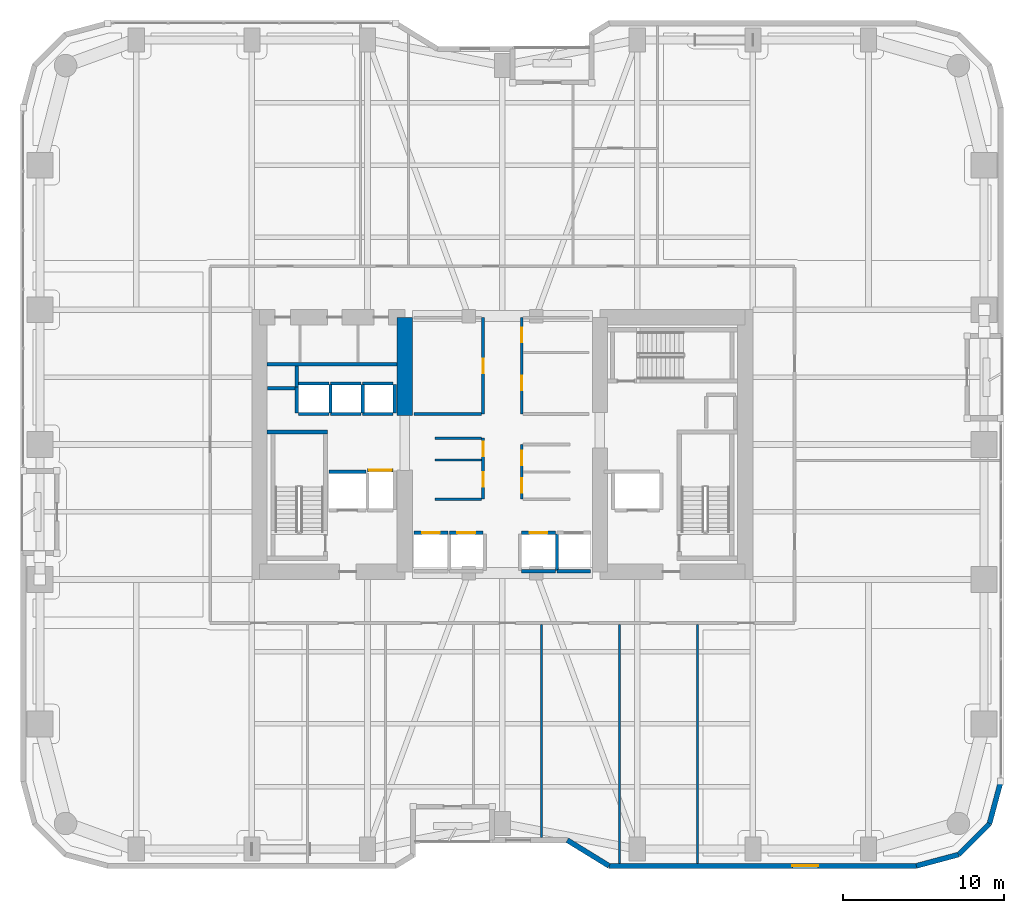
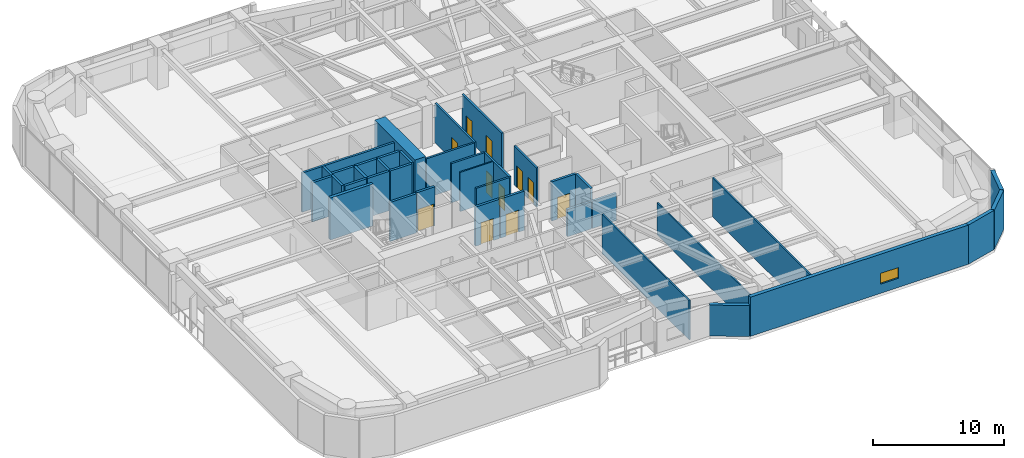
# One storey, part 23 of 29: 39 walls, 11 doors, 1 window, 12 openings.
"""IFC4 building model written with IfcOpenShell, lengths in metres."""

from ifc_helpers import new_model, si_unit, direction, frame, frame_2d, origin, place, context, subcontext, project, spatial, rectangle, extrude, material, layer, layer_set, type_object, element, fill, save


model = new_model("IFC4")

# Units and contexts
model_context = context("Model", 3, precision=1e-05, world=origin(), true_north=direction((0.0, 1.0)))
body_context = subcontext(model_context, "Body", "Model", "MODEL_VIEW")
ifc_project = project(units=[si_unit("LENGTHUNIT", "METRE"), si_unit("AREAUNIT", "SQUARE_METRE"), si_unit("VOLUMEUNIT", "CUBIC_METRE"), si_unit("PLANEANGLEUNIT", "RADIAN"), si_unit("MASSUNIT", "GRAM", prefix="KILO")], contexts=[model_context])

# Site, building, storey
site_placement = place(None, origin())
site = spatial("IfcSite", under=ifc_project, at=site_placement, CompositionType="ELEMENT")
building_placement = place(site_placement, origin())
building = spatial("IfcBuilding", under=site, at=building_placement, Name="Kiyonajd Concourse Tower", CompositionType="ELEMENT")
storey_placement = place(building_placement, frame((0.0, 0.0, 48.89990234375)))
storey = spatial("IfcBuildingStorey", under=building, at=storey_placement, Name="L13", CompositionType="ELEMENT", Elevation=48.89990234375)

# Walls
ifc_material_1 = material(Name="Concrete C80/95", Category="concrete")
ifc_layer_1 = layer(ifc_material_1, 0.949951171875)
ifc_layer_set_1 = layer_set([ifc_layer_1], Name="Concrete C80/95")
wall_type_1 = type_object("IfcWallType", Name="WL-CORE-950", PredefinedType="SHEAR", material=ifc_layer_set_1)
wall_1_placement = place(storey_placement, frame((41.925048828125, 37.800048828125, 0.0), z_axis=(0.0, 0.0, 1.0), x_axis=(0.0, 1.0, 0.0)))
element("IfcWall", 1, at=wall_1_placement, inside=storey, type_object=wall_type_1, Name="L13 West Core Inner North Shear Wall", PredefinedType="SHEAR", context=body_context, shape_type="SweptSolid", body=[
    extrude(rectangle(XDim=6.125, YDim=0.949951171875, at=frame_2d((3.0625, 0.0))), origin(), (0.0, 0.0, 1.0), 3.900146484375),
])
ifc_material_2 = material(Name="Precast concrete C50/60", Category="concrete")
ifc_layer_2 = layer(ifc_material_2, 0.320068359375)
ifc_layer_set_2 = layer_set([ifc_layer_2], Name="Precast concrete C50/60")
wall_type_2 = type_object("IfcWallType", Name="WL-EXT-320", PredefinedType="SOLIDWALL", material=ifc_layer_set_2)
wall_2_placement = place(storey_placement, frame((79.0400390625, 15.02099609375, 0.0), z_axis=(0.0, 0.0, 1.0), x_axis=(-0.25869736047, -0.965958423373, 0.0)))
element("IfcWall", 2, at=wall_2_placement, inside=storey, type_object=wall_type_2, Name="L13 Exterior Concrete Frame Wall 25", PredefinedType="SOLIDWALL", context=body_context, shape_type="SweptSolid", body=[
    extrude(rectangle(XDim=2.731201171875, YDim=0.320068359375, at=frame_2d((1.36572265625, 0.0))), origin(), (0.0, 0.0, 1.0), 3.64013671875),
])
wall_3_placement = place(storey_placement, frame((78.33349609375, 12.3828125, 0.0), z_axis=(0.0, 0.0, 1.0), x_axis=(-0.707106781187, -0.707106781187, 0.0)))
element("IfcWall", 3, at=wall_3_placement, inside=storey, type_object=wall_type_2, Name="L13 Exterior Concrete Frame Wall 26", PredefinedType="SOLIDWALL", context=body_context, shape_type="SweptSolid", body=[
    extrude(rectangle(XDim=2.7099609375, YDim=0.320068359375, at=frame_2d((1.35498046875, 0.0))), origin(), (0.0, 0.0, 1.0), 3.64013671875),
])
wall_4_placement = place(storey_placement, frame((76.417236328125, 10.466552734375, 0.0), z_axis=(0.0, 0.0, 1.0), x_axis=(-0.965964405026, -0.25867502435, 0.0)))
element("IfcWall", 4, at=wall_4_placement, inside=storey, type_object=wall_type_2, Name="L13 Exterior Concrete Frame Wall 27", PredefinedType="SOLIDWALL", context=body_context, shape_type="SweptSolid", body=[
    extrude(rectangle(XDim=2.7314453125, YDim=0.320068359375, at=frame_2d((1.36572265625, 0.0))), origin(), (0.0, 0.0, 1.0), 3.64013671875),
])

# Wall, opening, window
wall_5_placement = place(storey_placement, frame((73.77880859375, 9.760009765625, 0.0), z_axis=(0.0, 0.0, 1.0), x_axis=(-1.0, 0.0, 0.0)))
wall_5 = element("IfcWall", 5, at=wall_5_placement, inside=storey, type_object=wall_type_2, Name="L13 Exterior Concrete Frame Wall 28", PredefinedType="SOLIDWALL", context=body_context, shape_type="SweptSolid", body=[
    extrude(rectangle(XDim=19.133544921875, YDim=0.320068359375, at=frame_2d((9.56689453125, 0.0))), origin(), (0.0, 0.0, 1.0), 3.64013671875),
])
opening_1_placement = place(wall_5_placement, frame((6.114013671875, 0.0, 0.85009765625)))
opening_1 = element("IfcOpeningElement", 6, at=opening_1_placement, cuts=wall_5, Name="Opening WN6", PredefinedType="OPENING", context=body_context, shape_type="SweptSolid", body=[
    extrude(rectangle(XDim=1.60009765625, YDim=1.0, at=frame_2d((0.800048828125, 0.5))), frame((0.0, 0.169921875, 0.0), z_axis=(0.0, -1.0, 0.0), x_axis=(1.0, 0.0, 0.0)), (0.0, 0.0, 1.0), 0.340087890625),
])
ifc_material_3 = material(Name="Double Low-E Insulated Glass", Category="glass")
window_type = type_object("IfcWindowType", Name="WN-VIS-1600x1000", PartitioningType="SINGLE_PANEL", PredefinedType="WINDOW", material=ifc_material_3)
window_placement = place(opening_1_placement, origin())
window = element("IfcWindow", 7, at=window_placement, inside=storey, type_object=window_type, Name="L13 Modular Facade Vision Window 28", OverallHeight=1.0, OverallWidth=1.60009765625, PartitioningType="SINGLE_PANEL", PredefinedType="WINDOW", context=body_context, shape_type="SweptSolid", body=[
    extrude(rectangle(XDim=1.60009765625, YDim=1.0, at=frame_2d((0.800048828125, 0.5))), frame((0.0, 0.030029296875, 0.0), z_axis=(0.0, -1.0, 0.0), x_axis=(1.0, 0.0, 0.0)), (0.0, 0.0, 1.0), 0.06005859375),
])
fill(opening_1, window)

# Walls
wall_6_placement = place(storey_placement, frame((54.645263671875, 9.760009765625, 0.0), z_axis=(0.0, 0.0, 1.0), x_axis=(-0.851630857047, 0.524142044989, 0.0)))
element("IfcWall", 8, at=wall_6_placement, inside=storey, type_object=wall_type_2, Name="L13 Exterior Concrete Frame Wall 29", PredefinedType="SOLIDWALL", context=body_context, shape_type="SweptSolid", body=[
    extrude(rectangle(XDim=3.052734375, YDim=0.320068359375, at=frame_2d((1.5263671875, 0.0))), origin(), (0.0, 0.0, 1.0), 2.875),
])
ifc_material_4 = material(Name="Gypsum Board on Cold-Formed Steel Stud", Category="steel")
ifc_layer_3 = layer(ifc_material_4, 0.125)
ifc_layer_set_3 = layer_set([ifc_layer_3], Name="Gypsum Board on Cold-Formed Steel Stud")
wall_type_3 = type_object("IfcWallType", Name="WL-PART-125", PredefinedType="PARTITIONING", material=ifc_layer_set_3)
wall_7_placement = place(storey_placement, frame((43.800048828125, 35.031982421875, 0.0), z_axis=(0.0, 0.0, 1.0), x_axis=(1.0, 0.0, 0.0)))
element("IfcWall", 9, at=wall_7_placement, inside=storey, type_object=wall_type_3, Name="L13 Interior Partition Wall", PredefinedType="PARTITIONING", context=body_context, shape_type="SweptSolid", body=[
    extrude(rectangle(XDim=2.912841796875, YDim=0.125, at=frame_2d((1.45654296875, 0.0))), origin(), (0.0, 0.0, 1.0), 3.64013671875),
])
wall_8_placement = place(storey_placement, frame((50.429931640625, 11.514892578125, 0.0), z_axis=(0.0, 0.0, 1.0), x_axis=(0.0, 1.0, 0.0)))
element("IfcWall", 10, at=wall_8_placement, inside=storey, type_object=wall_type_3, Name="L13 Interior Partition Wall", PredefinedType="PARTITIONING", context=body_context, shape_type="SweptSolid", body=[
    extrude(rectangle(XDim=13.2880859375, YDim=0.125, at=frame_2d((6.64404296875, 0.0))), origin(), (0.0, 0.0, 1.0), 3.64013671875),
])
wall_9_placement = place(storey_placement, frame((55.2900390625, 9.9150390625, 0.0), z_axis=(0.0, 0.0, 1.0), x_axis=(0.0, 1.0, 0.0)))
element("IfcWall", 11, at=wall_9_placement, inside=storey, type_object=wall_type_3, Name="L13 Interior Partition Wall", PredefinedType="PARTITIONING", context=body_context, shape_type="SweptSolid", body=[
    extrude(rectangle(XDim=14.887939453125, YDim=0.125, at=frame_2d((7.44384765625, 0.0))), origin(), (0.0, 0.0, 1.0), 3.003173828125),
])
wall_10_placement = place(storey_placement, frame((60.139892578125, 9.9150390625, 0.0), z_axis=(0.0, 0.0, 1.0), x_axis=(0.0, 1.0, 0.0)))
element("IfcWall", 12, at=wall_10_placement, inside=storey, type_object=wall_type_3, Name="L13 Interior Partition Wall", PredefinedType="PARTITIONING", context=body_context, shape_type="SweptSolid", body=[
    extrude(rectangle(XDim=14.887939453125, YDim=0.125, at=frame_2d((7.44384765625, 0.0))), origin(), (0.0, 0.0, 1.0), 3.64013671875),
])
ifc_layer_4 = layer(ifc_material_4, 0.18994140625)
ifc_layer_set_4 = layer_set([ifc_layer_4], Name="Gypsum Board on Cold-Formed Steel Stud")
wall_type_4 = type_object("IfcWallType", Name="WL-PLMB-190", PredefinedType="PLUMBINGWALL", material=ifc_layer_set_4)
wall_11_placement = place(storey_placement, frame((33.35009765625, 41.0, 0.0), z_axis=(0.0, 0.0, 1.0), x_axis=(1.0, 0.0, 0.0)))
element("IfcWall", 13, at=wall_11_placement, inside=storey, type_object=wall_type_4, Name="L13 Interior Partition Wall", PredefinedType="PLUMBINGWALL", context=body_context, shape_type="SweptSolid", body=[
    extrude(rectangle(XDim=8.099853515625, YDim=0.18994140625, at=frame_2d((4.0498046875, 0.0))), origin(), (0.0, 0.0, 1.0), 3.64013671875),
])
ifc_layer_5 = layer(ifc_material_4, 0.2099609375)
ifc_layer_set_5 = layer_set([ifc_layer_5], Name="Gypsum Board on Cold-Formed Steel Stud")
wall_type_5 = type_object("IfcWallType", Name="WL-SHAFT-210", PredefinedType="PARTITIONING", material=ifc_layer_set_5)
wall_12_placement = place(storey_placement, frame((33.360107421875, 39.5, 0.0), z_axis=(0.0, 0.0, 1.0), x_axis=(1.0, 0.0, 0.0)))
element("IfcWall", 14, at=wall_12_placement, inside=storey, type_object=wall_type_5, Name="L13 Shaft Enclosure Wall", PredefinedType="PARTITIONING", context=body_context, shape_type="SweptSolid", body=[
    extrude(rectangle(XDim=1.85986328125, YDim=0.2099609375, at=frame_2d((0.929931640625, 0.0))), origin(), (0.0, 0.0, 1.0), 3.64013671875),
])
wall_13_placement = place(storey_placement, frame((35.199951171875, 39.580078125, 0.0), z_axis=(0.0, 0.0, 1.0), x_axis=(0.0, 1.0, 0.0)))
element("IfcWall", 15, at=wall_13_placement, inside=storey, type_object=wall_type_5, Name="L13 Shaft Enclosure Wall", PredefinedType="PARTITIONING", context=body_context, shape_type="SweptSolid", body=[
    extrude(rectangle(XDim=1.31982421875, YDim=0.2099609375, at=frame_2d((0.659912109375, 0.0))), origin(), (0.0, 0.0, 1.0), 3.64013671875),
])
wall_14_placement = place(storey_placement, frame((37.199951171875, 34.300048828125, 0.0), z_axis=(0.0, 0.0, 1.0), x_axis=(1.0, 0.0, 0.0)))
element("IfcWall", 16, at=wall_14_placement, inside=storey, type_object=wall_type_5, Name="L13 Shaft Enclosure Wall", PredefinedType="PARTITIONING", context=body_context, shape_type="SweptSolid", body=[
    extrude(rectangle(XDim=2.300048828125, YDim=0.2099609375, at=frame_2d((1.14990234375, 0.0))), origin(), (0.0, 0.0, 1.0), 3.64013671875),
])

# Wall, opening, door
wall_15_placement = place(storey_placement, frame((39.60009765625, 34.39990234375, 0.0), z_axis=(0.0, 0.0, 1.0), x_axis=(1.0, 0.0, 0.0)))
wall_15 = element("IfcWall", 17, at=wall_15_placement, inside=storey, type_object=wall_type_5, Name="L13 Shaft Enclosure Wall", PredefinedType="PARTITIONING", context=body_context, shape_type="SweptSolid", body=[
    extrude(rectangle(XDim=1.599853515625, YDim=0.2099609375, at=frame_2d((0.7998046875, 0.0))), origin(), (0.0, 0.0, 1.0), 3.64013671875),
])
opening_2_placement = place(wall_15_placement, frame((0.10009765625, 0.0, 0.0)))
opening_2 = element("IfcOpeningElement", 18, at=opening_2_placement, cuts=wall_15, Name="Opening LD3", PredefinedType="OPENING", context=body_context, shape_type="SweptSolid", body=[
    extrude(rectangle(XDim=1.39990234375, YDim=2.06005859375, at=frame_2d((0.699951171875, 1.030029296875))), frame((0.0, 0.114990234375, 0.0), z_axis=(0.0, -1.0, 0.0), x_axis=(1.0, 0.0, 0.0)), (0.0, 0.0, 1.0), 0.22998046875),
])
ifc_material_5 = material(Name="Brushed Stainless Steel Cab Assembly", Category="steel")
door_type_1 = type_object("IfcDoorType", Name="DR-LD-1400", OperationType="DOUBLE_DOOR_SLIDING", PredefinedType="DOOR", material=ifc_material_5)
door_1_placement = place(opening_2_placement, origin())
door_1 = element("IfcDoor", 19, at=door_1_placement, inside=storey, type_object=door_type_1, Name="L13 Lift SVL1 Sliding Landing Door", OperationType="DOUBLE_DOOR_SLIDING", OverallHeight=2.06005859375, OverallWidth=1.39990234375, PredefinedType="DOOR", context=body_context, shape_type="SweptSolid", body=[
    extrude(rectangle(XDim=1.39990234375, YDim=2.06005859375, at=frame_2d((0.699951171875, 1.030029296875))), frame((0.0, 0.02490234375, 0.0), z_axis=(0.0, -1.0, 0.0), x_axis=(1.0, 0.0, 0.0)), (0.0, 0.0, 1.0), 0.050048828125),
])
fill(opening_2, door_1)

wall_16_placement = place(storey_placement, frame((42.5, 30.5, 0.0), z_axis=(0.0, 0.0, 1.0), x_axis=(1.0, 0.0, 0.0)))
wall_16 = element("IfcWall", 20, at=wall_16_placement, inside=storey, type_object=wall_type_5, Name="L13 Shaft Enclosure Wall", PredefinedType="PARTITIONING", context=body_context, shape_type="SweptSolid", body=[
    extrude(rectangle(XDim=2.10009765625, YDim=0.2099609375, at=frame_2d((1.050048828125, 0.0))), origin(), (0.0, 0.0, 1.0), 3.64013671875),
])
opening_3_placement = place(wall_16_placement, frame((0.5, 0.0, 0.0)))
opening_3 = element("IfcOpeningElement", 21, at=opening_3_placement, cuts=wall_16, Name="Opening LD1", PredefinedType="OPENING", context=body_context, shape_type="SweptSolid", body=[
    extrude(rectangle(XDim=1.10009765625, YDim=2.0400390625, at=frame_2d((0.550048828125, 1.02001953125))), frame((0.0, 0.114990234375, 0.0), z_axis=(0.0, -1.0, 0.0), x_axis=(1.0, 0.0, 0.0)), (0.0, 0.0, 1.0), 0.22998046875),
])
door_type_2 = type_object("IfcDoorType", Name="DR-LD-1100", OperationType="DOUBLE_DOOR_SLIDING", PredefinedType="DOOR", material=ifc_material_5)
door_2_placement = place(opening_3_placement, origin())
door_2 = element("IfcDoor", 22, at=door_2_placement, inside=storey, type_object=door_type_2, Name="L13 Lift PL-L1 Sliding Landing Door", OperationType="DOUBLE_DOOR_SLIDING", OverallHeight=2.0400390625, OverallWidth=1.10009765625, PredefinedType="DOOR", context=body_context, shape_type="SweptSolid", body=[
    extrude(rectangle(XDim=1.10009765625, YDim=2.0400390625, at=frame_2d((0.550048828125, 1.02001953125))), frame((0.0, 0.02490234375, 0.0), z_axis=(0.0, -1.0, 0.0), x_axis=(1.0, 0.0, 0.0)), (0.0, 0.0, 1.0), 0.050048828125),
])
fill(opening_3, door_2)

wall_17_placement = place(storey_placement, frame((44.699951171875, 30.5, 0.0), z_axis=(0.0, 0.0, 1.0), x_axis=(1.0, 0.0, 0.0)))
wall_17 = element("IfcWall", 23, at=wall_17_placement, inside=storey, type_object=wall_type_5, Name="L13 Shaft Enclosure Wall", PredefinedType="PARTITIONING", context=body_context, shape_type="SweptSolid", body=[
    extrude(rectangle(XDim=2.10009765625, YDim=0.2099609375, at=frame_2d((1.050048828125, 0.0))), origin(), (0.0, 0.0, 1.0), 3.64013671875),
])
opening_4_placement = place(wall_17_placement, frame((0.5, 0.0, 0.0)))
opening_4 = element("IfcOpeningElement", 24, at=opening_4_placement, cuts=wall_17, Name="Opening LD1", PredefinedType="OPENING", context=body_context, shape_type="SweptSolid", body=[
    extrude(rectangle(XDim=1.10009765625, YDim=2.0400390625, at=frame_2d((0.550048828125, 1.02001953125))), frame((0.0, 0.114990234375, 0.0), z_axis=(0.0, -1.0, 0.0), x_axis=(1.0, 0.0, 0.0)), (0.0, 0.0, 1.0), 0.22998046875),
])
door_3_placement = place(opening_4_placement, origin())
door_3 = element("IfcDoor", 25, at=door_3_placement, inside=storey, type_object=door_type_2, Name="L13 Lift PL-L2 Sliding Landing Door", OperationType="DOUBLE_DOOR_SLIDING", OverallHeight=2.0400390625, OverallWidth=1.10009765625, PredefinedType="DOOR", context=body_context, shape_type="SweptSolid", body=[
    extrude(rectangle(XDim=1.10009765625, YDim=2.0400390625, at=frame_2d((0.550048828125, 1.02001953125))), frame((0.0, 0.02490234375, 0.0), z_axis=(0.0, -1.0, 0.0), x_axis=(1.0, 0.0, 0.0)), (0.0, 0.0, 1.0), 0.050048828125),
])
fill(opening_4, door_3)

wall_18_placement = place(storey_placement, frame((49.199951171875, 30.5, 0.0), z_axis=(0.0, 0.0, 1.0), x_axis=(1.0, 0.0, 0.0)))
wall_18 = element("IfcWall", 26, at=wall_18_placement, inside=storey, type_object=wall_type_5, Name="L13 Shaft Enclosure Wall", PredefinedType="PARTITIONING", context=body_context, shape_type="SweptSolid", body=[
    extrude(rectangle(XDim=2.10009765625, YDim=0.2099609375, at=frame_2d((1.050048828125, 0.0))), origin(), (0.0, 0.0, 1.0), 3.64013671875),
])
opening_5_placement = place(wall_18_placement, frame((0.5, 0.0, 0.0)))
opening_5 = element("IfcOpeningElement", 27, at=opening_5_placement, cuts=wall_18, Name="Opening LD1", PredefinedType="OPENING", context=body_context, shape_type="SweptSolid", body=[
    extrude(rectangle(XDim=1.10009765625, YDim=2.0400390625, at=frame_2d((0.550048828125, 1.02001953125))), frame((0.0, 0.114990234375, 0.0), z_axis=(0.0, -1.0, 0.0), x_axis=(1.0, 0.0, 0.0)), (0.0, 0.0, 1.0), 0.22998046875),
])
door_4_placement = place(opening_5_placement, origin())
door_4 = element("IfcDoor", 28, at=door_4_placement, inside=storey, type_object=door_type_2, Name="L13 Lift PL-L3 Sliding Landing Door", OperationType="DOUBLE_DOOR_SLIDING", OverallHeight=2.0400390625, OverallWidth=1.10009765625, PredefinedType="DOOR", context=body_context, shape_type="SweptSolid", body=[
    extrude(rectangle(XDim=1.10009765625, YDim=2.0400390625, at=frame_2d((0.550048828125, 1.02001953125))), frame((0.0, 0.02490234375, 0.0), z_axis=(0.0, -1.0, 0.0), x_axis=(1.0, 0.0, 0.0)), (0.0, 0.0, 1.0), 0.050048828125),
])
fill(opening_5, door_4)

# Walls
wall_19_placement = place(storey_placement, frame((49.199951171875, 28.10009765625, 0.0), z_axis=(0.0, 0.0, 1.0), x_axis=(1.0, 0.0, 0.0)))
element("IfcWall", 29, at=wall_19_placement, inside=storey, type_object=wall_type_5, Name="L13 Shaft Enclosure Wall", PredefinedType="PARTITIONING", context=body_context, shape_type="SweptSolid", body=[
    extrude(rectangle(XDim=2.10009765625, YDim=0.2099609375, at=frame_2d((1.050048828125, 0.0))), origin(), (0.0, 0.0, 1.0), 2.525146484375),
])
wall_20_placement = place(storey_placement, frame((51.39990234375, 28.159912109375, 0.0), z_axis=(0.0, 0.0, 1.0), x_axis=(0.0, 1.0, 0.0)))
element("IfcWall", 30, at=wall_20_placement, inside=storey, type_object=wall_type_5, Name="L13 Shaft Enclosure Wall", PredefinedType="PARTITIONING", context=body_context, shape_type="SweptSolid", body=[
    extrude(rectangle(XDim=2.280029296875, YDim=0.2099609375, at=frame_2d((1.14013671875, 0.0))), origin(), (0.0, 0.0, 1.0), 3.64013671875),
])
wall_21_placement = place(storey_placement, frame((51.39990234375, 28.10009765625, 0.0), z_axis=(0.0, 0.0, 1.0), x_axis=(1.0, 0.0, 0.0)))
element("IfcWall", 31, at=wall_21_placement, inside=storey, type_object=wall_type_5, Name="L13 Shaft Enclosure Wall", PredefinedType="PARTITIONING", context=body_context, shape_type="SweptSolid", body=[
    extrude(rectangle(XDim=2.10009765625, YDim=0.2099609375, at=frame_2d((1.050048828125, 0.0))), origin(), (0.0, 0.0, 1.0), 2.525146484375),
])
for number, where, z_axis, x_axis, name in (
    (32, (35.300048828125, 37.89990234375, 0.0), (0.0, 0.0, 1.0), (1.0, 0.0, 0.0), "L13 Shaft Enclosure Wall"),
    (33, (35.300048828125, 39.800048828125, 0.0), (0.0, 0.0, 1.0), (1.0, 0.0, 0.0), "L13 Shaft Enclosure Wall"),
):
    element("IfcWall", number, at=place(storey_placement, frame(where, z_axis=z_axis, x_axis=x_axis)), inside=storey, type_object=wall_type_5, Name=name, PredefinedType="PARTITIONING", context=body_context, shape_type="SweptSolid", body=[
        extrude(rectangle(XDim=1.89990234375, YDim=0.2099609375, at=frame_2d((0.949951171875, 0.0))), origin(), (0.0, 0.0, 1.0), 3.64013671875),
    ])
wall_22_placement = place(storey_placement, frame((35.199951171875, 37.9599609375, 0.0), z_axis=(0.0, 0.0, 1.0), x_axis=(0.0, 1.0, 0.0)))
element("IfcWall", 34, at=wall_22_placement, inside=storey, type_object=wall_type_5, Name="L13 Shaft Enclosure Wall", PredefinedType="PARTITIONING", context=body_context, shape_type="SweptSolid", body=[
    extrude(rectangle(XDim=1.6201171875, YDim=0.2099609375, at=frame_2d((0.81005859375, 0.0))), origin(), (0.0, 0.0, 1.0), 3.64013671875),
])
wall_23_placement = place(storey_placement, frame((37.300048828125, 37.9599609375, 0.0), z_axis=(0.0, 0.0, 1.0), x_axis=(0.0, 1.0, 0.0)))
element("IfcWall", 35, at=wall_23_placement, inside=storey, type_object=wall_type_5, Name="L13 Shaft Enclosure Wall", PredefinedType="PARTITIONING", context=body_context, shape_type="SweptSolid", body=[
    extrude(rectangle(XDim=1.780029296875, YDim=0.2099609375, at=frame_2d((0.89013671875, 0.0))), origin(), (0.0, 0.0, 1.0), 3.64013671875),
])
for number, where, z_axis, x_axis, name in (
    (36, (37.300048828125, 37.89990234375, 0.0), (0.0, 0.0, 1.0), (1.0, 0.0, 0.0), "L13 Shaft Enclosure Wall"),
    (37, (37.300048828125, 39.800048828125, 0.0), (0.0, 0.0, 1.0), (1.0, 0.0, 0.0), "L13 Shaft Enclosure Wall"),
):
    element("IfcWall", number, at=place(storey_placement, frame(where, z_axis=z_axis, x_axis=x_axis)), inside=storey, type_object=wall_type_5, Name=name, PredefinedType="PARTITIONING", context=body_context, shape_type="SweptSolid", body=[
        extrude(rectangle(XDim=1.89990234375, YDim=0.2099609375, at=frame_2d((0.949951171875, 0.0))), origin(), (0.0, 0.0, 1.0), 3.64013671875),
    ])
wall_24_placement = place(storey_placement, frame((39.300048828125, 37.9599609375, 0.0), z_axis=(0.0, 0.0, 1.0), x_axis=(0.0, 1.0, 0.0)))
element("IfcWall", 38, at=wall_24_placement, inside=storey, type_object=wall_type_5, Name="L13 Shaft Enclosure Wall", PredefinedType="PARTITIONING", context=body_context, shape_type="SweptSolid", body=[
    extrude(rectangle(XDim=1.780029296875, YDim=0.2099609375, at=frame_2d((0.89013671875, 0.0))), origin(), (0.0, 0.0, 1.0), 3.64013671875),
])
for number, where, z_axis, x_axis, name in (
    (39, (39.300048828125, 37.89990234375, 0.0), (0.0, 0.0, 1.0), (1.0, 0.0, 0.0), "L13 Shaft Enclosure Wall"),
    (40, (39.300048828125, 39.800048828125, 0.0), (0.0, 0.0, 1.0), (1.0, 0.0, 0.0), "L13 Shaft Enclosure Wall"),
):
    element("IfcWall", number, at=place(storey_placement, frame(where, z_axis=z_axis, x_axis=x_axis)), inside=storey, type_object=wall_type_5, Name=name, PredefinedType="PARTITIONING", context=body_context, shape_type="SweptSolid", body=[
        extrude(rectangle(XDim=1.89990234375, YDim=0.2099609375, at=frame_2d((0.949951171875, 0.0))), origin(), (0.0, 0.0, 1.0), 3.64013671875),
    ])
wall_25_placement = place(storey_placement, frame((41.300048828125, 37.9599609375, 0.0), z_axis=(0.0, 0.0, 1.0), x_axis=(0.0, 1.0, 0.0)))
element("IfcWall", 41, at=wall_25_placement, inside=storey, type_object=wall_type_5, Name="L13 Shaft Enclosure Wall", PredefinedType="PARTITIONING", context=body_context, shape_type="SweptSolid", body=[
    extrude(rectangle(XDim=1.780029296875, YDim=0.2099609375, at=frame_2d((0.89013671875, 0.0))), origin(), (0.0, 0.0, 1.0), 3.64013671875),
])

# Wall, openings, doors
ifc_layer_6 = layer(ifc_material_4, 0.169921875)
ifc_layer_set_6 = layer_set([ifc_layer_6], Name="Gypsum Board on Cold-Formed Steel Stud")
wall_type_6 = type_object("IfcWallType", Name="WL-SMK-170", PredefinedType="PARTITIONING", material=ifc_layer_set_6)
wall_26_placement = place(storey_placement, frame((46.800048828125, 32.60009765625, 0.0), z_axis=(0.0, 0.0, 1.0), x_axis=(0.0, 1.0, 0.0)))
wall_26 = element("IfcWall", 42, at=wall_26_placement, inside=storey, type_object=wall_type_6, Name="L13 Interior Partition Wall", PredefinedType="PARTITIONING", context=body_context, shape_type="SweptSolid", body=[
    extrude(rectangle(XDim=3.7998046875, YDim=0.169921875, at=frame_2d((1.89990234375, 0.0))), origin(), (0.0, 0.0, 1.0), 3.64013671875),
])
opening_6_placement = place(wall_26_placement, frame((0.76611328125, 0.0, 0.0)))
opening_6 = element("IfcOpeningElement", 43, at=opening_6_placement, cuts=wall_26, Name="Opening DF4", PredefinedType="OPENING", context=body_context, shape_type="SweptSolid", body=[
    extrude(rectangle(XDim=0.89990234375, YDim=2.02001953125, at=frame_2d((0.449951171875, 1.010009765625))), frame((0.0, 0.094970703125, 0.0), z_axis=(0.0, -1.0, 0.0), x_axis=(1.0, 0.0, 0.0)), (0.0, 0.0, 1.0), 0.18994140625),
])
opening_7_placement = place(wall_26_placement, frame((2.666015625, 0.0, 0.0)))
opening_7 = element("IfcOpeningElement", 44, at=opening_7_placement, cuts=wall_26, Name="Opening DF4", PredefinedType="OPENING", context=body_context, shape_type="SweptSolid", body=[
    extrude(rectangle(XDim=0.89990234375, YDim=2.02001953125, at=frame_2d((0.449951171875, 1.010009765625))), frame((0.0, 0.094970703125, 0.0), z_axis=(0.0, -1.0, 0.0), x_axis=(1.0, 0.0, 0.0)), (0.0, 0.0, 1.0), 0.18994140625),
])
door_type_3 = type_object("IfcDoorType", Name="DR-FD60-900", OperationType="NOTDEFINED", PredefinedType="DOOR", material=ifc_material_5)
door_5_placement = place(opening_6_placement, origin())
door_5 = element("IfcDoor", 45, at=door_5_placement, inside=storey, type_object=door_type_3, Name="L13 Interior Door", OperationType="SINGLE_SWING_LEFT", OverallHeight=2.02001953125, OverallWidth=0.89990234375, PredefinedType="DOOR", context=body_context, shape_type="SweptSolid", body=[
    extrude(rectangle(XDim=0.89990234375, YDim=2.02001953125, at=frame_2d((0.449951171875, 1.010009765625))), frame((0.0, 0.02490234375, 0.0), z_axis=(0.0, -1.0, 0.0), x_axis=(1.0, 0.0, 0.0)), (0.0, 0.0, 1.0), 0.050048828125),
])
fill(opening_6, door_5)
door_6_placement = place(opening_7_placement, origin())
door_6 = element("IfcDoor", 46, at=door_6_placement, inside=storey, type_object=door_type_3, Name="L13 Interior Door", OperationType="SINGLE_SWING_RIGHT", OverallHeight=2.02001953125, OverallWidth=0.89990234375, PredefinedType="DOOR", context=body_context, shape_type="SweptSolid", body=[
    extrude(rectangle(XDim=0.89990234375, YDim=2.02001953125, at=frame_2d((0.449951171875, 1.010009765625))), frame((0.0, 0.02490234375, 0.0), z_axis=(0.0, -1.0, 0.0), x_axis=(1.0, 0.0, 0.0)), (0.0, 0.0, 1.0), 0.050048828125),
])
fill(opening_7, door_6)

# Walls
for number, where, z_axis, x_axis, name in (
    (47, (43.800048828125, 32.60009765625, 0.0), (0.0, 0.0, 1.0), (1.0, 0.0, 0.0), "L13 Interior Partition Wall"),
    (48, (43.800048828125, 36.39990234375, 0.0), (0.0, 0.0, 1.0), (1.0, 0.0, 0.0), "L13 Interior Partition Wall"),
):
    element("IfcWall", number, at=place(storey_placement, frame(where, z_axis=z_axis, x_axis=x_axis)), inside=storey, type_object=wall_type_6, Name=name, PredefinedType="PARTITIONING", context=body_context, shape_type="SweptSolid", body=[
        extrude(rectangle(XDim=2.912841796875, YDim=0.169921875, at=frame_2d((1.45654296875, 0.0))), origin(), (0.0, 0.0, 1.0), 3.64013671875),
    ])

# Wall, openings, doors
wall_27_placement = place(storey_placement, frame((49.199951171875, 32.60009765625, 0.0), z_axis=(0.0, 0.0, 1.0), x_axis=(0.0, 1.0, 0.0)))
wall_27 = element("IfcWall", 49, at=wall_27_placement, inside=storey, type_object=wall_type_6, Name="L13 Interior Partition Wall", PredefinedType="PARTITIONING", context=body_context, shape_type="SweptSolid", body=[
    extrude(rectangle(XDim=3.39990234375, YDim=0.169921875, at=frame_2d((1.699951171875, 0.0))), origin(), (0.0, 0.0, 1.0), 3.64013671875),
])
opening_8_placement = place(wall_27_placement, frame((0.39990234375, 0.0, 0.0)))
opening_8 = element("IfcOpeningElement", 50, at=opening_8_placement, cuts=wall_27, Name="Opening DI2", PredefinedType="OPENING", context=body_context, shape_type="SweptSolid", body=[
    extrude(rectangle(XDim=0.89990234375, YDim=2.02001953125, at=frame_2d((0.449951171875, 1.010009765625))), frame((0.0, 0.094970703125, 0.0), z_axis=(0.0, -1.0, 0.0), x_axis=(1.0, 0.0, 0.0)), (0.0, 0.0, 1.0), 0.18994140625),
])
opening_9_placement = place(wall_27_placement, frame((2.10009765625, 0.0, 0.0)))
opening_9 = element("IfcOpeningElement", 51, at=opening_9_placement, cuts=wall_27, Name="Opening DI2", PredefinedType="OPENING", context=body_context, shape_type="SweptSolid", body=[
    extrude(rectangle(XDim=0.89990234375, YDim=2.02001953125, at=frame_2d((0.449951171875, 1.010009765625))), frame((0.0, 0.094970703125, 0.0), z_axis=(0.0, -1.0, 0.0), x_axis=(1.0, 0.0, 0.0)), (0.0, 0.0, 1.0), 0.18994140625),
])
ifc_material_6 = material(Name="Natural Oak Acoustic Timber Veneer", Category="wood")
door_type_4 = type_object("IfcDoorType", Name="DR-INT-900", OperationType="NOTDEFINED", PredefinedType="DOOR", material=ifc_material_6)
door_7_placement = place(opening_8_placement, origin())
door_7 = element("IfcDoor", 52, at=door_7_placement, inside=storey, type_object=door_type_4, Name="L13 Interior Door", OperationType="SINGLE_SWING_LEFT", OverallHeight=2.02001953125, OverallWidth=0.89990234375, PredefinedType="DOOR", context=body_context, shape_type="SweptSolid", body=[
    extrude(rectangle(XDim=0.89990234375, YDim=2.02001953125, at=frame_2d((0.449951171875, 1.010009765625))), frame((0.0, 0.02490234375, 0.0), z_axis=(0.0, -1.0, 0.0), x_axis=(1.0, 0.0, 0.0)), (0.0, 0.0, 1.0), 0.050048828125),
])
fill(opening_8, door_7)
door_8_placement = place(opening_9_placement, origin())
door_8 = element("IfcDoor", 53, at=door_8_placement, inside=storey, type_object=door_type_4, Name="L13 Interior Door", OperationType="SINGLE_SWING_RIGHT", OverallHeight=2.02001953125, OverallWidth=0.89990234375, PredefinedType="DOOR", context=body_context, shape_type="SweptSolid", body=[
    extrude(rectangle(XDim=0.89990234375, YDim=2.02001953125, at=frame_2d((0.449951171875, 1.010009765625))), frame((0.0, 0.02490234375, 0.0), z_axis=(0.0, -1.0, 0.0), x_axis=(1.0, 0.0, 0.0)), (0.0, 0.0, 1.0), 0.050048828125),
])
fill(opening_9, door_8)

# Wall, opening, door
wall_28_placement = place(storey_placement, frame((46.800048828125, 37.89990234375, 0.0), z_axis=(0.0, 0.0, 1.0), x_axis=(0.0, 1.0, 0.0)))
wall_28 = element("IfcWall", 54, at=wall_28_placement, inside=storey, type_object=wall_type_6, Name="L13 Interior Partition Wall", PredefinedType="PARTITIONING", context=body_context, shape_type="SweptSolid", body=[
    extrude(rectangle(XDim=6.0, YDim=0.169921875, at=frame_2d((3.0, 0.0))), origin(), (0.0, 0.0, 1.0), 3.64013671875),
])
opening_10_placement = place(wall_28_placement, frame((2.550048828125, 0.0, 0.0)))
opening_10 = element("IfcOpeningElement", 55, at=opening_10_placement, cuts=wall_28, Name="Opening DI2", PredefinedType="OPENING", context=body_context, shape_type="SweptSolid", body=[
    extrude(rectangle(XDim=0.89990234375, YDim=2.02001953125, at=frame_2d((0.449951171875, 1.010009765625))), frame((0.0, 0.094970703125, 0.0), z_axis=(0.0, -1.0, 0.0), x_axis=(1.0, 0.0, 0.0)), (0.0, 0.0, 1.0), 0.18994140625),
])
door_9_placement = place(opening_10_placement, origin())
door_9 = element("IfcDoor", 56, at=door_9_placement, inside=storey, type_object=door_type_4, Name="L13 Interior Door", OperationType="SINGLE_SWING_LEFT", OverallHeight=2.02001953125, OverallWidth=0.89990234375, PredefinedType="DOOR", context=body_context, shape_type="SweptSolid", body=[
    extrude(rectangle(XDim=0.89990234375, YDim=2.02001953125, at=frame_2d((0.449951171875, 1.010009765625))), frame((0.0, 0.02490234375, 0.0), z_axis=(0.0, -1.0, 0.0), x_axis=(1.0, 0.0, 0.0)), (0.0, 0.0, 1.0), 0.050048828125),
])
fill(opening_10, door_9)

# Wall
wall_29_placement = place(storey_placement, frame((42.5, 37.89990234375, 0.0), z_axis=(0.0, 0.0, 1.0), x_axis=(1.0, 0.0, 0.0)))
element("IfcWall", 57, at=wall_29_placement, inside=storey, type_object=wall_type_6, Name="L13 Interior Partition Wall", PredefinedType="PARTITIONING", context=body_context, shape_type="SweptSolid", body=[
    extrude(rectangle(XDim=4.212890625, YDim=0.169921875, at=frame_2d((2.1064453125, 0.0))), origin(), (0.0, 0.0, 1.0), 3.64013671875),
])

# Wall, openings, doors
wall_30_placement = place(storey_placement, frame((49.199951171875, 37.89990234375, 0.0), z_axis=(0.0, 0.0, 1.0), x_axis=(0.0, 1.0, 0.0)))
wall_30 = element("IfcWall", 58, at=wall_30_placement, inside=storey, type_object=wall_type_6, Name="L13 Interior Partition Wall", PredefinedType="PARTITIONING", context=body_context, shape_type="SweptSolid", body=[
    extrude(rectangle(XDim=6.0, YDim=0.169921875, at=frame_2d((3.0, 0.0))), origin(), (0.0, 0.0, 1.0), 3.64013671875),
])
opening_11_placement = place(wall_30_placement, frame((1.469970703125, 0.0, 0.0)))
opening_11 = element("IfcOpeningElement", 59, at=opening_11_placement, cuts=wall_30, Name="Opening DF4", PredefinedType="OPENING", context=body_context, shape_type="SweptSolid", body=[
    extrude(rectangle(XDim=0.89990234375, YDim=2.02001953125, at=frame_2d((0.449951171875, 1.010009765625))), frame((0.0, 0.094970703125, 0.0), z_axis=(0.0, -1.0, 0.0), x_axis=(1.0, 0.0, 0.0)), (0.0, 0.0, 1.0), 0.18994140625),
])
opening_12_placement = place(wall_30_placement, frame((4.469970703125, 0.0, 0.0)))
opening_12 = element("IfcOpeningElement", 60, at=opening_12_placement, cuts=wall_30, Name="Opening DF4", PredefinedType="OPENING", context=body_context, shape_type="SweptSolid", body=[
    extrude(rectangle(XDim=0.89990234375, YDim=2.02001953125, at=frame_2d((0.449951171875, 1.010009765625))), frame((0.0, 0.094970703125, 0.0), z_axis=(0.0, -1.0, 0.0), x_axis=(1.0, 0.0, 0.0)), (0.0, 0.0, 1.0), 0.18994140625),
])
door_10_placement = place(opening_11_placement, origin())
door_10 = element("IfcDoor", 61, at=door_10_placement, inside=storey, type_object=door_type_3, Name="L13 Interior Door", OperationType="SINGLE_SWING_RIGHT", OverallHeight=2.02001953125, OverallWidth=0.89990234375, PredefinedType="DOOR", context=body_context, shape_type="SweptSolid", body=[
    extrude(rectangle(XDim=0.89990234375, YDim=2.02001953125, at=frame_2d((0.449951171875, 1.010009765625))), frame((0.0, 0.02490234375, 0.0), z_axis=(0.0, -1.0, 0.0), x_axis=(1.0, 0.0, 0.0)), (0.0, 0.0, 1.0), 0.050048828125),
])
fill(opening_11, door_10)
door_11_placement = place(opening_12_placement, origin())
door_11 = element("IfcDoor", 62, at=door_11_placement, inside=storey, type_object=door_type_3, Name="L13 Interior Door", OperationType="SINGLE_SWING_LEFT", OverallHeight=2.02001953125, OverallWidth=0.89990234375, PredefinedType="DOOR", context=body_context, shape_type="SweptSolid", body=[
    extrude(rectangle(XDim=0.89990234375, YDim=2.02001953125, at=frame_2d((0.449951171875, 1.010009765625))), frame((0.0, 0.02490234375, 0.0), z_axis=(0.0, -1.0, 0.0), x_axis=(1.0, 0.0, 0.0)), (0.0, 0.0, 1.0), 0.050048828125),
])
fill(opening_12, door_11)

# Wall
ifc_material_7 = material(Name="Concrete C50/60", Category="concrete")
ifc_layer_7 = layer(ifc_material_7, 0.260009765625)
ifc_layer_set_7 = layer_set([ifc_layer_7], Name="Concrete C50/60")
wall_type_7 = type_object("IfcWallType", Name="WL-STAIR-260", PredefinedType="SHEAR", material=ifc_layer_set_7)
wall_31_placement = place(storey_placement, frame((33.35009765625, 36.780029296875, 0.0), z_axis=(0.0, 0.0, 1.0), x_axis=(1.0, 0.0, 0.0)))
element("IfcWall", 63, at=wall_31_placement, inside=storey, type_object=wall_type_7, Name="L13 Stair ST1 Structural North Wall", PredefinedType="SHEAR", context=body_context, shape_type="SweptSolid", body=[
    extrude(rectangle(XDim=3.760009765625, YDim=0.260009765625, at=frame_2d((1.8798828125, 0.0))), origin(), (0.0, 0.0, 1.0), 3.900146484375),
])

save(model, "model.ifc")
